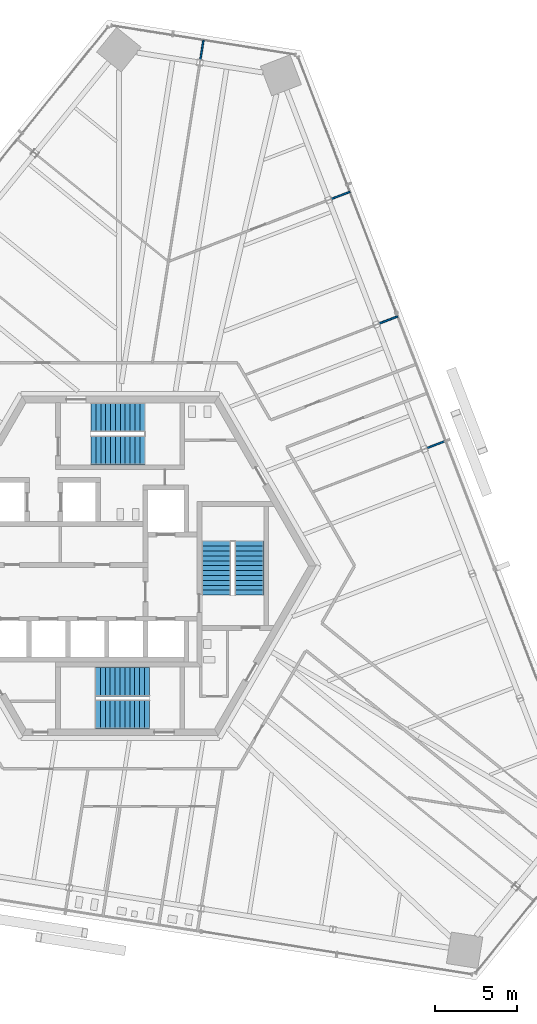
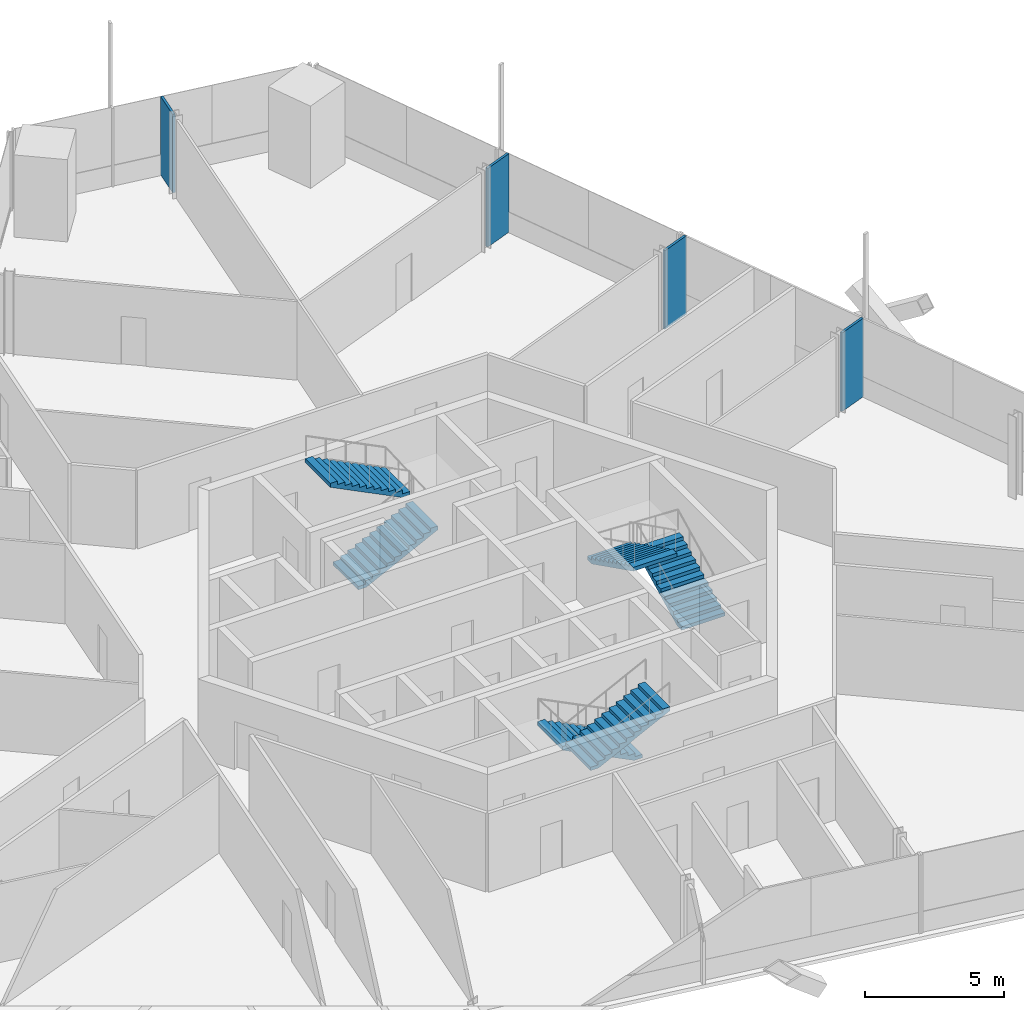
# One storey, part 15 of 22: 6 stair flights, 4 walls, 3 elements without a shape of their own.
"""IFC4 building model written with IfcOpenShell, lengths in metres."""

from ifc_helpers import new_model, si_unit, direction, frame, frame_2d, origin, place, context, subcontext, project, spatial, polyline, rectangle, outline, extrude, source, transform, mapped, material, layer, layer_set, type_object, element, aggregate, save


model = new_model("IFC4")

# Units and contexts
model_context = context("Model", 3, precision=1e-05, world=origin(), true_north=direction((0.0, 1.0)))
body_context = subcontext(model_context, "Body", "Model", "MODEL_VIEW")
ifc_project = project(units=[si_unit("LENGTHUNIT", "METRE"), si_unit("AREAUNIT", "SQUARE_METRE"), si_unit("VOLUMEUNIT", "CUBIC_METRE"), si_unit("PLANEANGLEUNIT", "RADIAN"), si_unit("MASSUNIT", "GRAM", prefix="KILO")], contexts=[model_context])

# Site, building, storey
site_placement = place(None, origin())
site = spatial("IfcSite", under=ifc_project, at=site_placement, CompositionType="ELEMENT")
building_placement = place(site_placement, origin())
building = spatial("IfcBuilding", under=site, at=building_placement, Name="Triune Harvest Tower", CompositionType="ELEMENT")
storey_placement = place(building_placement, frame((0.0, 0.0, 153.300048828125)))
storey = spatial("IfcBuildingStorey", under=building, at=storey_placement, Name="L39", CompositionType="ELEMENT", Elevation=153.300048828125)

# Walls
ifc_material_1 = material(Name="Gypsum board on steel studs", Category="steel")
ifc_layer = layer(ifc_material_1, 0.10009765625)
ifc_layer_set = layer_set([ifc_layer], Name="Gypsum board on steel studs")
wall_type = type_object("IfcWallType", Name="Partition 100 mm", PredefinedType="PARTITIONING", material=ifc_layer_set)
shared_shape_1 = source(origin(), body_context, "Body", "SweptSolid", [
    extrude(rectangle(XDim=1.212158203125, YDim=0.10009765625, at=frame_2d((0.60595703125, 0.0))), origin(), (0.0, 0.0, 1.0), 3.43994140625),
])
for number, where, z_axis, x_axis, name in (
    (1, (15.871337890625, 14.84912109375, 0.0), (0.0, 0.0, 1.0), (0.933594564159, 0.358331117506, 0.0), "Partition L39 035"),
    (2, (12.941650390625, 22.481201171875, 0.0), (0.0, 0.0, 1.0), (0.933594564159, 0.358331117506, 0.0), "Partition L39 037"),
):
    element("IfcWall", number, at=place(storey_placement, frame(where, z_axis=z_axis, x_axis=x_axis)), inside=storey, type_object=wall_type, Name=name, PredefinedType="PARTITIONING", context=body_context, shape_type="MappedRepresentation", body=[
        mapped(shared_shape_1, transform((0.0, 0.0, 0.0), scale=1.0)),
    ])
shared_shape_2 = source(origin(), body_context, "Body", "SweptSolid", [
    extrude(rectangle(XDim=1.2119140625, YDim=0.10009765625, at=frame_2d((0.60595703125, 0.0))), origin(), (0.0, 0.0, 1.0), 3.43994140625),
])
wall_1_placement = place(storey_placement, frame((4.911865234375, 31.010498046875, 0.0), z_axis=(0.0, 0.0, 1.0), x_axis=(0.156324627209, 0.987705730938, 0.0)))
element("IfcWall", 3, at=wall_1_placement, inside=storey, type_object=wall_type, Name="Partition L39 048", PredefinedType="PARTITIONING", context=body_context, shape_type="MappedRepresentation", body=[
    mapped(shared_shape_2, transform((0.0, 0.0, 0.0), scale=1.0)),
])
shared_shape_3 = source(origin(), body_context, "Body", "SweptSolid", [
    extrude(rectangle(XDim=1.21240234375, YDim=0.10009765625, at=frame_2d((0.606201171875, 0.0))), origin(), (0.0, 0.0, 1.0), 3.43994140625),
])
wall_2_placement = place(storey_placement, frame((18.80078125, 7.217041015625, 0.0), z_axis=(0.0, 0.0, 1.0), x_axis=(0.93362041979, 0.358263746075, 0.0)))
element("IfcWall", 4, at=wall_2_placement, inside=storey, type_object=wall_type, Name="Partition L39 029", PredefinedType="PARTITIONING", context=body_context, shape_type="MappedRepresentation", body=[
    mapped(shared_shape_3, transform((0.0, 0.0, 0.0), scale=1.0)),
])

# Stair, stair flights
ifc_material_2 = material(Name="Concrete 40 MPa", Category="concrete")
stair_type = type_object("IfcStairType", Name="Exit stair 1800 half turn", PredefinedType="HALF_TURN_STAIR", material=ifc_material_2)
stair_1_placement = place(storey_placement, origin())
stair_1 = element("IfcStair", 5, at=stair_1_placement, inside=storey, type_object=stair_type, Name="Exit stair north", PredefinedType="HALF_TURN_STAIR")
ifc_material_3 = material(Name="Concrete 40 MPa", Category="concrete")
stair_flight_type = type_object("IfcStairFlightType", Name="Stair flight 1800", PredefinedType="STRAIGHT", material=ifc_material_3)
shared_shape_4 = source(origin(), body_context, "Body", "SweptSolid", [
    extrude(outline(polyline([(0.0, 0.0), (0.0, 0.14990234375), (0.300048828125, 0.14990234375), (0.300048828125, 0.300048828125), (0.60009765625, 0.300048828125), (0.60009765625, 0.449951171875), (0.89990234375, 0.449951171875), (0.89990234375, 0.60009765625), (1.199951171875, 0.60009765625), (1.199951171875, 0.75), (1.5, 0.75), (1.5, 0.89990234375), (1.800048828125, 0.89990234375), (1.800048828125, 1.050048828125), (2.10009765625, 1.050048828125), (2.10009765625, 1.199951171875), (2.39990234375, 1.199951171875), (2.39990234375, 1.35009765625), (2.699951171875, 1.35009765625), (2.699951171875, 1.5), (3.0, 1.5), (3.0, 1.64990234375), (3.300048828125, 1.64990234375), (3.300048828125, 1.800048828125), (3.300048828125, 1.482421875), (0.335205078125, 0.0), (0.0, 0.0)])), frame((0.0, 0.89990234375, 0.0), z_axis=(0.0, -1.0, 0.0), x_axis=(1.0, 0.0, 0.0)), (0.0, 0.0, 1.0), 1.800048828125),
])
stair_flight_1_placement = place(storey_placement, frame((-1.7900390625, 7.090087890625, 0.0), z_axis=(0.0, 0.0, 1.0), x_axis=(1.0, 0.0, 0.0)))
stair_flight_1 = element("IfcStairFlight", 6, at=stair_flight_1_placement, type_object=stair_flight_type, Name="ST-1 flight 1", NumberOfRisers=12, NumberOfTreads=11, PredefinedType="STRAIGHT", RiserHeight=0.15, TreadLength=0.3, context=body_context, shape_type="MappedRepresentation", body=[
    mapped(shared_shape_4, transform((0.0, 0.0, 0.0), scale=1.0)),
])
stair_flight_2_placement = place(storey_placement, frame((1.510009765625, 9.090087890625, 1.800048828125), z_axis=(0.0, 0.0, 1.0), x_axis=(-1.0, 0.0, 0.0)))
stair_flight_2 = element("IfcStairFlight", 7, at=stair_flight_2_placement, type_object=stair_flight_type, Name="ST-1 flight 2", NumberOfRisers=12, NumberOfTreads=11, PredefinedType="STRAIGHT", RiserHeight=0.15, TreadLength=0.3, context=body_context, shape_type="MappedRepresentation", body=[
    mapped(shared_shape_4, transform((0.0, 0.0, 0.0), scale=1.0)),
])
aggregate(stair_1, [stair_flight_1, stair_flight_2])

stair_2_placement = place(storey_placement, origin())
stair_2 = element("IfcStair", 8, at=stair_2_placement, inside=storey, type_object=stair_type, Name="Exit stair south", PredefinedType="HALF_TURN_STAIR")
stair_flight_3_placement = place(storey_placement, frame((1.7900390625, -7.090087890625, 0.0), z_axis=(0.0, 0.0, 1.0), x_axis=(-1.0, 0.0, 0.0)))
stair_flight_3 = element("IfcStairFlight", 9, at=stair_flight_3_placement, type_object=stair_flight_type, Name="ST-2 flight 1", NumberOfRisers=12, NumberOfTreads=11, PredefinedType="STRAIGHT", RiserHeight=0.15, TreadLength=0.3, context=body_context, shape_type="MappedRepresentation", body=[
    mapped(shared_shape_4, transform((0.0, 0.0, 0.0), scale=1.0)),
])
stair_flight_4_placement = place(storey_placement, frame((-1.510009765625, -9.090087890625, 1.800048828125), z_axis=(0.0, 0.0, 1.0), x_axis=(1.0, 0.0, 0.0)))
stair_flight_4 = element("IfcStairFlight", 10, at=stair_flight_4_placement, type_object=stair_flight_type, Name="ST-2 flight 2", NumberOfRisers=12, NumberOfTreads=11, PredefinedType="STRAIGHT", RiserHeight=0.15, TreadLength=0.3, context=body_context, shape_type="MappedRepresentation", body=[
    mapped(shared_shape_4, transform((0.0, 0.0, 0.0), scale=1.0)),
])
aggregate(stair_2, [stair_flight_3, stair_flight_4])

stair_3_placement = place(storey_placement, origin())
stair_3 = element("IfcStair", 11, at=stair_3_placement, inside=storey, type_object=stair_type, Name="Exit stair east", PredefinedType="HALF_TURN_STAIR")
stair_flight_5_placement = place(storey_placement, frame((7.89990234375, -1.7900390625, 0.0), z_axis=(0.0, 0.0, 1.0), x_axis=(0.0, 1.0, 0.0)))
stair_flight_5 = element("IfcStairFlight", 12, at=stair_flight_5_placement, type_object=stair_flight_type, Name="ST-3 flight 1", NumberOfRisers=12, NumberOfTreads=11, PredefinedType="STRAIGHT", RiserHeight=0.15, TreadLength=0.3, context=body_context, shape_type="MappedRepresentation", body=[
    mapped(shared_shape_4, transform((0.0, 0.0, 0.0), scale=1.0)),
])
stair_flight_6_placement = place(storey_placement, frame((5.89990234375, 1.510009765625, 1.800048828125), z_axis=(0.0, 0.0, 1.0), x_axis=(0.0, -1.0, 0.0)))
stair_flight_6 = element("IfcStairFlight", 13, at=stair_flight_6_placement, type_object=stair_flight_type, Name="ST-3 flight 2", NumberOfRisers=12, NumberOfTreads=11, PredefinedType="STRAIGHT", RiserHeight=0.15, TreadLength=0.3, context=body_context, shape_type="MappedRepresentation", body=[
    mapped(shared_shape_4, transform((0.0, 0.0, 0.0), scale=1.0)),
])
aggregate(stair_3, [stair_flight_5, stair_flight_6])

save(model, "model.ifc")
